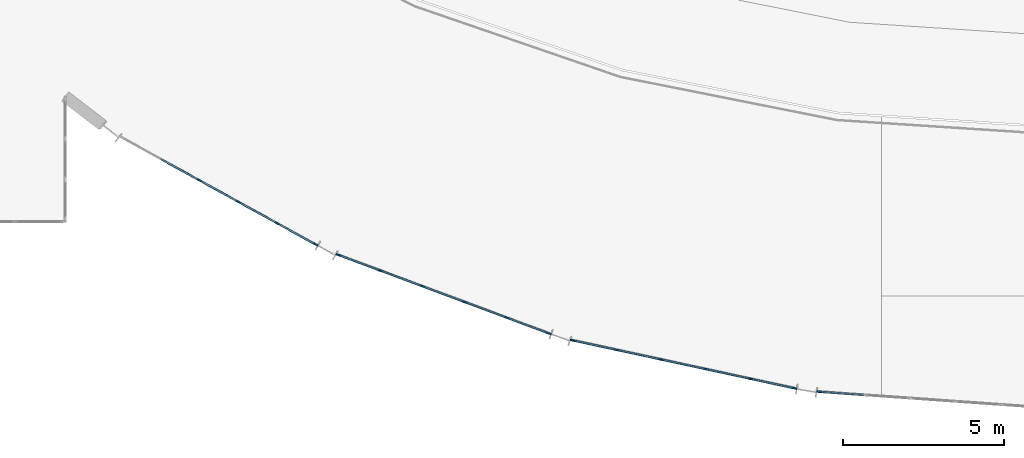
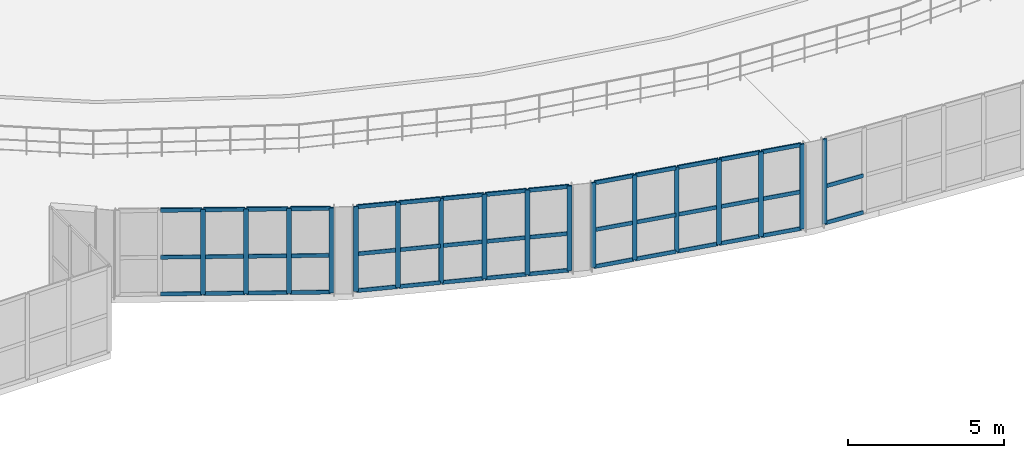
# One storey, part 10 of 40: 61 members, 4 elements without a shape of their own.
"""IFC4 building model written with IfcOpenShell, lengths in metres."""

import ifcopenshell
import ifcopenshell.guid

model = None  # the IFC model being written
_history = None  # IfcOwnerHistory: only IFC2X3 demands one
_inside = {}  # id of a spatial element -> (the spatial element, [elements in it])
_under = {}  # id of a project, library or spatial element -> (it, [spatial elements below it])
_declared = {}  # id of a project -> (the project, [libraries it declares])
_typed = {}  # id of a type object -> (the type object, [elements of that type])
_made_of = {}  # id of a material, layer set ... -> (it, [elements and type objects made of it])


def new_model(schema):
    """Start an empty IFC model of exactly this schema.

    Asked for "IFC4X3", IfcOpenShell would pick the latest addendum, in which some entities
    have other attributes; the version numbers below select the first issue.
    IFC2X3 requires an IfcOwnerHistory on every rooted entity: one is made here for all.
    """
    global model, _history
    if schema == "IFC4X3":
        model = ifcopenshell.file(schema_version=(4, 3, 0, 0))
    else:
        model = ifcopenshell.file(schema=schema)
    _inside.clear()
    _under.clear()
    _declared.clear()
    _typed.clear()
    _made_of.clear()
    _history = None
    if model.schema == "IFC2X3":
        org = make("IfcOrganization", Name="unknown")
        user = make(
            "IfcPersonAndOrganization",
            ThePerson=make("IfcPerson", FamilyName="unknown"),
            TheOrganization=org,
        )
        app = make(
            "IfcApplication",
            ApplicationDeveloper=org,
            Version="unknown",
            ApplicationFullName="unknown",
            ApplicationIdentifier="unknown",
        )
        _history = make(
            "IfcOwnerHistory",
            OwningUser=user,
            OwningApplication=app,
            ChangeAction="ADDED",
            CreationDate=0,
        )
    return model


def make(cls, **values):
    """One entity of the class cls with the attributes given. An attribute that is None is left unset."""
    return model.create_entity(
        cls, **{name: value for name, value in values.items() if value is not None}
    )


def rooted(cls, **values):
    """An entity with a GlobalId (a new one), such as an element, a storey or a relation."""
    return make(cls, GlobalId=ifcopenshell.guid.new(), OwnerHistory=_history, **values)


def si_unit(unit_type, name, prefix=None):
    """IfcSIUnit, for example si_unit("LENGTHUNIT", "METRE", prefix="MILLI")."""
    return make("IfcSIUnit", UnitType=unit_type, Prefix=prefix, Name=name)


def assignment(units):
    """IfcUnitAssignment: the units of a project."""
    return None if units is None else make("IfcUnitAssignment", Units=units)


def point(xyz):
    """IfcCartesianPoint."""
    return None if xyz is None else make("IfcCartesianPoint", Coordinates=xyz)


def direction(xyz):
    """IfcDirection."""
    return None if xyz is None else make("IfcDirection", DirectionRatios=xyz)


def frame(location, z_axis=None, x_axis=None):
    """IfcAxis2Placement3D, a coordinate frame: its origin and axes. An axis left out is left unset."""
    return make(
        "IfcAxis2Placement3D",
        Location=point(location),
        Axis=direction(z_axis),
        RefDirection=direction(x_axis),
    )


def frame_2d(location, x_axis=None):
    """IfcAxis2Placement2D, a coordinate frame in the plane: its origin and x axis."""
    return make(
        "IfcAxis2Placement2D", Location=point(location), RefDirection=direction(x_axis)
    )


def origin():
    """The frame at (0, 0, 0) with its axes left unset."""
    return frame((0.0, 0.0, 0.0))


def origin_2d():
    """The frame at (0, 0) in the plane with its x axis left unset."""
    return frame_2d((0.0, 0.0))


def place(relative_to, where):
    """IfcLocalPlacement: puts the frame where relative to a parent placement (None: the world)."""
    return make(
        "IfcLocalPlacement", PlacementRelTo=relative_to, RelativePlacement=where
    )


def context(
    kind, dimensions, precision=None, world=None, true_north=None, identifier=None
):
    """IfcGeometricRepresentationContext, for example the 3D "Model" context."""
    return make(
        "IfcGeometricRepresentationContext",
        ContextIdentifier=identifier,
        ContextType=kind,
        CoordinateSpaceDimension=dimensions,
        Precision=precision,
        WorldCoordinateSystem=world,
        TrueNorth=true_north,
    )


def subcontext(parent, identifier, kind, view, scale=None):
    """IfcGeometricRepresentationSubContext, for example "Body" below "Model"."""
    return make(
        "IfcGeometricRepresentationSubContext",
        ContextIdentifier=identifier,
        ContextType=kind,
        ParentContext=parent,
        TargetScale=scale,
        TargetView=view,
    )


def project(units=None, contexts=None):
    """IfcProject with its units and contexts."""
    return rooted(
        "IfcProject",
        Name="project",
        RepresentationContexts=contexts,
        UnitsInContext=assignment(units),
    )


def spatial(cls, under=None, at=None, **own):
    """A site, building, storey or space (cls), placed at a placement, below another one or the project."""
    s = rooted(cls, ObjectPlacement=at, **own)
    if under is not None:
        _under.setdefault(under.id(), (under, []))[1].append(s)
    return s


def profile(cls, at=None, kind="AREA", **sizes):
    """A parametric profile (cls). Its sizes go by their IFC names, for example OverallWidth=200.0."""
    return make(cls, ProfileType=kind, Position=at, **sizes)


def rectangle(**sizes):
    """IfcRectangleProfileDef."""
    return profile("IfcRectangleProfileDef", **sizes)


def extrude(swept, where, along, depth):
    """IfcExtrudedAreaSolid: the profile swept, set in the frame where, extruded along a direction by depth."""
    return make(
        "IfcExtrudedAreaSolid",
        SweptArea=swept,
        Position=where,
        ExtrudedDirection=direction(along),
        Depth=depth,
    )


def shape(context_of_items, identifier, shape_type, items):
    """IfcShapeRepresentation: the items that make up one representation, for example the "Body"."""
    return make(
        "IfcShapeRepresentation",
        ContextOfItems=context_of_items,
        RepresentationIdentifier=identifier,
        RepresentationType=shape_type,
        Items=items,
    )


def material(Name=None, Category=None):
    """IfcMaterial."""
    return make("IfcMaterial", Name=Name, Category=Category)


def material_profile(
    of_material, cross_section, Name=None, Category=None, Priority=None
):
    """IfcMaterialProfile: a cross section and its material."""
    return make(
        "IfcMaterialProfile",
        Name=Name,
        Material=of_material,
        Profile=cross_section,
        Priority=Priority,
        Category=Category,
    )


def profile_set(profiles, Name=None, composite=None):
    """IfcMaterialProfileSet."""
    return make(
        "IfcMaterialProfileSet",
        Name=Name,
        MaterialProfiles=profiles,
        CompositeProfile=composite,
    )


def made_of(thing, what):
    """Note that an element or type object is made of a material, layer set ...; save() writes the relation."""
    if what is not None:
        _made_of.setdefault(what.id(), (what, []))[1].append(thing)
    return thing


def type_object(cls, material=None, **own):
    """A type object (cls), such as IfcWallType, which elements share."""
    return made_of(rooted(cls, **own), material)


def element(
    cls,
    number,
    at=None,
    inside=None,
    cuts=None,
    type_object=None,
    material=None,
    context=None,
    identifier="Body",
    shape_type=None,
    held_by="IfcProductDefinitionShape",
    body=None,
    shapes=None,
    **own,
):
    """One element of the class cls, such as IfcWall. Its Tag is "e" and its number.

    at: its placement. inside: the storey or other place that contains it. cuts: it is an
    opening in that element (IfcRelVoidsElement). A single representation is given by context,
    identifier, shape_type and body (its items); several are given by shapes. held_by: the class
    of the entity that holds the representations. save() writes the other relations.
    """
    e = rooted(cls, Tag="e%d" % number, ObjectPlacement=at, **own)
    if body is not None:
        shapes = [shape(context, identifier, shape_type, body)]
    if shapes is not None:
        e.Representation = make(held_by, Representations=shapes)
    if inside is not None:
        _inside.setdefault(inside.id(), (inside, []))[1].append(e)
    if cuts is not None:
        rooted(
            "IfcRelVoidsElement", RelatingBuildingElement=cuts, RelatedOpeningElement=e
        )
    if type_object is not None:
        _typed.setdefault(type_object.id(), (type_object, []))[1].append(e)
    return made_of(e, material)


def aggregate(whole, parts):
    """IfcRelAggregates: a whole, such as a stair, and the parts it consists of."""
    return rooted("IfcRelAggregates", RelatingObject=whole, RelatedObjects=parts)


def save(model, path):
    """Write the relations noted so far, then the file.

    IfcRelAggregates (storeys below a building ...), IfcRelContainedInSpatialStructure (elements
    in a storey), IfcRelDefinesByType, IfcRelAssociatesMaterial and IfcRelDeclares: one each for
    every whole, place, type object, material and project.
    """
    for whole, parts in _under.values():
        aggregate(whole, parts)
    for where, things in _inside.values():
        rooted(
            "IfcRelContainedInSpatialStructure",
            RelatedElements=things,
            RelatingStructure=where,
        )
    for kind, things in _typed.values():
        rooted("IfcRelDefinesByType", RelatedObjects=things, RelatingType=kind)
    for what, things in _made_of.values():
        rooted("IfcRelAssociatesMaterial", RelatedObjects=things, RelatingMaterial=what)
    for by, libraries in _declared.values():
        rooted("IfcRelDeclares", RelatingContext=by, RelatedDefinitions=libraries)
    model.write(path)


model = new_model("IFC4")

# Units and contexts
model_context = context("Model", 3, precision=1e-05, world=origin(), true_north=direction((0.0, 1.0)))
body_context = subcontext(model_context, "Body", "Model", "MODEL_VIEW")
ifc_project = project(units=[si_unit("LENGTHUNIT", "METRE"), si_unit("AREAUNIT", "SQUARE_METRE"), si_unit("VOLUMEUNIT", "CUBIC_METRE"), si_unit("PLANEANGLEUNIT", "RADIAN"), si_unit("MASSUNIT", "GRAM", prefix="KILO")], contexts=[model_context])

# Site, building, storey
site_placement = place(None, origin())
site = spatial("IfcSite", under=ifc_project, at=site_placement, CompositionType="ELEMENT")
building_placement = place(site_placement, origin())
building = spatial("IfcBuilding", under=site, at=building_placement, Name="Glasvene Arena", CompositionType="ELEMENT")
storey_placement = place(building_placement, frame((0.0, 0.0, 24.0)))
storey = spatial("IfcBuildingStorey", under=building, at=storey_placement, Name="L05", CompositionType="ELEMENT", Elevation=24.0)

# Curtain wall, member
ifc_material_1 = material(Name="Low-emissivity laminated double glazing", Category="glass")
curtain_wall_type_1 = type_object("IfcCurtainWallType", Name="CW-FAC-L05-710x332", PredefinedType="USERDEFINED", material=ifc_material_1)
curtain_wall_1_placement = place(storey_placement, frame((91.633056640625, 28.02587890625, 0.0)))
curtain_wall_1 = element("IfcCurtainWall", 1, at=curtain_wall_1_placement, inside=storey, type_object=curtain_wall_type_1, Name="Unitised curtain wall CW-F-L05-150-881-283-45", ObjectType="CURTAIN WALL", PredefinedType="USERDEFINED")
ifc_material_2 = material(Name="Anodised architectural aluminium", Category="aluminium")
ifc_material_profile_1 = material_profile(ifc_material_2, rectangle(XDim=0.050048828125, YDim=0.159912109375, at=origin_2d()), Name="ALU MULLION 50x160")
ifc_profile_set_1 = profile_set([ifc_material_profile_1], Name="Anodised architectural aluminium")
member_type_1 = type_object("IfcMemberType", Name="CW-MUL-150", PredefinedType="MULLION", material=ifc_profile_set_1)
member_1_placement = place(storey_placement, frame((84.571044921875, 28.526123046875, 0.06005859375), z_axis=(0.0, 0.0, 1.0), x_axis=(-0.070656884566, -0.997500679029, 0.0)))
member_1 = element("IfcMember", 2, at=member_1_placement, type_object=member_type_1, Name="CW-065 mullion 6", PredefinedType="MULLION", context=body_context, shape_type="SweptSolid", body=[
    extrude(rectangle(XDim=0.050048828125, YDim=0.159912109375, at=origin_2d()), origin(), (0.0, 0.0, 1.0), 3.31982421875),
])

# Curtain wall, members
curtain_wall_type_2 = type_object("IfcCurtainWallType", Name="CW-FAC-L05-707x332", PredefinedType="USERDEFINED", material=ifc_material_1)
curtain_wall_2_placement = place(storey_placement, frame((83.8193359375, 28.631591796875, 0.0)))
curtain_wall_2 = element("IfcCurtainWall", 3, at=curtain_wall_2_placement, inside=storey, type_object=curtain_wall_type_2, Name="Unitised curtain wall CW-F-L05-150-804-294-46", ObjectType="CURTAIN WALL", PredefinedType="USERDEFINED")
member_2_placement = place(storey_placement, frame((83.794921875, 28.63671875, 0.06005859375), z_axis=(0.0, 0.0, 1.0), x_axis=(-0.211220641072, -0.977438407668, 0.0)))
member_2 = element("IfcMember", 4, at=member_2_placement, type_object=member_type_1, Name="CW-064 mullion 1", PredefinedType="MULLION", context=body_context, shape_type="SweptSolid", body=[
    extrude(rectangle(XDim=0.050048828125, YDim=0.159912109375, at=origin_2d()), origin(), (0.0, 0.0, 1.0), 3.31982421875),
])
member_3_placement = place(storey_placement, frame((82.4375, 28.93017578125, 0.06005859375), z_axis=(0.0, 0.0, 1.0), x_axis=(-0.211220641072, -0.977438407668, 0.0)))
member_3 = element("IfcMember", 5, at=member_3_placement, type_object=member_type_1, Name="CW-064 mullion 2", PredefinedType="MULLION", context=body_context, shape_type="SweptSolid", body=[
    extrude(rectangle(XDim=0.050048828125, YDim=0.159912109375, at=origin_2d()), origin(), (0.0, 0.0, 1.0), 3.31982421875),
])
member_4_placement = place(storey_placement, frame((81.055908203125, 29.228759765625, 0.06005859375), z_axis=(0.0, 0.0, 1.0), x_axis=(-0.211220641072, -0.977438407668, 0.0)))
member_4 = element("IfcMember", 6, at=member_4_placement, type_object=member_type_1, Name="CW-064 mullion 3", PredefinedType="MULLION", context=body_context, shape_type="SweptSolid", body=[
    extrude(rectangle(XDim=0.050048828125, YDim=0.159912109375, at=origin_2d()), origin(), (0.0, 0.0, 1.0), 3.31982421875),
])
member_5_placement = place(storey_placement, frame((79.67431640625, 29.52734375, 0.06005859375), z_axis=(0.0, 0.0, 1.0), x_axis=(-0.211220641072, -0.977438407668, 0.0)))
member_5 = element("IfcMember", 7, at=member_5_placement, type_object=member_type_1, Name="CW-064 mullion 4", PredefinedType="MULLION", context=body_context, shape_type="SweptSolid", body=[
    extrude(rectangle(XDim=0.050048828125, YDim=0.159912109375, at=origin_2d()), origin(), (0.0, 0.0, 1.0), 3.31982421875),
])
member_6_placement = place(storey_placement, frame((78.29248046875, 29.825927734375, 0.06005859375), z_axis=(0.0, 0.0, 1.0), x_axis=(-0.211220641072, -0.977438407668, 0.0)))
member_6 = element("IfcMember", 8, at=member_6_placement, type_object=member_type_1, Name="CW-064 mullion 5", PredefinedType="MULLION", context=body_context, shape_type="SweptSolid", body=[
    extrude(rectangle(XDim=0.050048828125, YDim=0.159912109375, at=origin_2d()), origin(), (0.0, 0.0, 1.0), 3.31982421875),
])
member_7_placement = place(storey_placement, frame((76.935302734375, 30.119140625, 0.06005859375), z_axis=(0.0, 0.0, 1.0), x_axis=(-0.211220641072, -0.977438407668, 0.0)))
member_7 = element("IfcMember", 9, at=member_7_placement, type_object=member_type_1, Name="CW-064 mullion 6", PredefinedType="MULLION", context=body_context, shape_type="SweptSolid", body=[
    extrude(rectangle(XDim=0.050048828125, YDim=0.159912109375, at=origin_2d()), origin(), (0.0, 0.0, 1.0), 3.31982421875),
])

curtain_wall_type_3 = type_object("IfcCurtainWallType", Name="CW-FAC-L05-700x332", PredefinedType="USERDEFINED", material=ifc_material_1)
curtain_wall_3_placement = place(storey_placement, frame((76.205322265625, 30.330810546875, 0.0)))
curtain_wall_3 = element("IfcCurtainWall", 10, at=curtain_wall_3_placement, inside=storey, type_object=curtain_wall_type_3, Name="Unitised curtain wall CW-F-L05-150-729-316-47", ObjectType="CURTAIN WALL", PredefinedType="USERDEFINED")
member_8_placement = place(storey_placement, frame((76.181884765625, 30.33935546875, 0.06005859375), z_axis=(0.0, 0.0, 1.0), x_axis=(-0.349296753096, -0.937012154818, 0.0)))
member_8 = element("IfcMember", 11, at=member_8_placement, type_object=member_type_1, Name="CW-063 mullion 1", PredefinedType="MULLION", context=body_context, shape_type="SweptSolid", body=[
    extrude(rectangle(XDim=0.050048828125, YDim=0.159912109375, at=origin_2d()), origin(), (0.0, 0.0, 1.0), 3.31982421875),
])
member_9_placement = place(storey_placement, frame((74.893798828125, 30.819580078125, 0.06005859375), z_axis=(0.0, 0.0, 1.0), x_axis=(-0.349296753096, -0.937012154818, 0.0)))
member_9 = element("IfcMember", 12, at=member_9_placement, type_object=member_type_1, Name="CW-063 mullion 2", PredefinedType="MULLION", context=body_context, shape_type="SweptSolid", body=[
    extrude(rectangle(XDim=0.050048828125, YDim=0.159912109375, at=origin_2d()), origin(), (0.0, 0.0, 1.0), 3.31982421875),
])
member_10_placement = place(storey_placement, frame((73.58251953125, 31.308349609375, 0.06005859375), z_axis=(0.0, 0.0, 1.0), x_axis=(-0.349296753096, -0.937012154818, 0.0)))
member_10 = element("IfcMember", 13, at=member_10_placement, type_object=member_type_1, Name="CW-063 mullion 3", PredefinedType="MULLION", context=body_context, shape_type="SweptSolid", body=[
    extrude(rectangle(XDim=0.050048828125, YDim=0.159912109375, at=origin_2d()), origin(), (0.0, 0.0, 1.0), 3.31982421875),
])
member_11_placement = place(storey_placement, frame((72.27099609375, 31.79736328125, 0.06005859375), z_axis=(0.0, 0.0, 1.0), x_axis=(-0.349296753096, -0.937012154818, 0.0)))
member_11 = element("IfcMember", 14, at=member_11_placement, type_object=member_type_1, Name="CW-063 mullion 4", PredefinedType="MULLION", context=body_context, shape_type="SweptSolid", body=[
    extrude(rectangle(XDim=0.050048828125, YDim=0.159912109375, at=origin_2d()), origin(), (0.0, 0.0, 1.0), 3.31982421875),
])
member_12_placement = place(storey_placement, frame((70.959716796875, 32.2861328125, 0.06005859375), z_axis=(0.0, 0.0, 1.0), x_axis=(-0.349296753096, -0.937012154818, 0.0)))
member_12 = element("IfcMember", 15, at=member_12_placement, type_object=member_type_1, Name="CW-063 mullion 5", PredefinedType="MULLION", context=body_context, shape_type="SweptSolid", body=[
    extrude(rectangle(XDim=0.050048828125, YDim=0.159912109375, at=origin_2d()), origin(), (0.0, 0.0, 1.0), 3.31982421875),
])
member_13_placement = place(storey_placement, frame((69.671630859375, 32.766357421875, 0.06005859375), z_axis=(0.0, 0.0, 1.0), x_axis=(-0.349296753096, -0.937012154818, 0.0)))
member_13 = element("IfcMember", 16, at=member_13_placement, type_object=member_type_1, Name="CW-063 mullion 6", PredefinedType="MULLION", context=body_context, shape_type="SweptSolid", body=[
    extrude(rectangle(XDim=0.050048828125, YDim=0.159912109375, at=origin_2d()), origin(), (0.0, 0.0, 1.0), 3.31982421875),
])

curtain_wall_type_4 = type_object("IfcCurtainWallType", Name="CW-FAC-L05-690x332", PredefinedType="USERDEFINED", material=ifc_material_1)
curtain_wall_4_placement = place(storey_placement, frame((68.97900390625, 33.081787109375, 0.0)))
curtain_wall_4 = element("IfcCurtainWall", 17, at=curtain_wall_4_placement, inside=storey, type_object=curtain_wall_type_4, Name="Unitised curtain wall CW-F-L05-150-660-347-48", ObjectType="CURTAIN WALL", PredefinedType="USERDEFINED")
member_14_placement = place(storey_placement, frame((68.957275390625, 33.093994140625, 0.06005859375), z_axis=(0.0, 0.0, 1.0), x_axis=(-0.482938658483, -0.875654185248, 0.0)))
member_14 = element("IfcMember", 18, at=member_14_placement, type_object=member_type_1, Name="CW-062 mullion 1", PredefinedType="MULLION", context=body_context, shape_type="SweptSolid", body=[
    extrude(rectangle(XDim=0.050048828125, YDim=0.159912109375, at=origin_2d()), origin(), (0.0, 0.0, 1.0), 3.31982421875),
])
member_15_placement = place(storey_placement, frame((67.7705078125, 33.74853515625, 0.06005859375), z_axis=(0.0, 0.0, 1.0), x_axis=(-0.482938658483, -0.875654185248, 0.0)))
member_15 = element("IfcMember", 19, at=member_15_placement, type_object=member_type_1, Name="CW-062 mullion 2", PredefinedType="MULLION", context=body_context, shape_type="SweptSolid", body=[
    extrude(rectangle(XDim=0.050048828125, YDim=0.159912109375, at=origin_2d()), origin(), (0.0, 0.0, 1.0), 3.31982421875),
])
member_16_placement = place(storey_placement, frame((66.56201171875, 34.4150390625, 0.06005859375), z_axis=(0.0, 0.0, 1.0), x_axis=(-0.482938658483, -0.875654185248, 0.0)))
member_16 = element("IfcMember", 20, at=member_16_placement, type_object=member_type_1, Name="CW-062 mullion 3", PredefinedType="MULLION", context=body_context, shape_type="SweptSolid", body=[
    extrude(rectangle(XDim=0.050048828125, YDim=0.159912109375, at=origin_2d()), origin(), (0.0, 0.0, 1.0), 3.31982421875),
])
member_17_placement = place(storey_placement, frame((65.353515625, 35.08154296875, 0.06005859375), z_axis=(0.0, 0.0, 1.0), x_axis=(-0.482938658483, -0.875654185248, 0.0)))
member_17 = element("IfcMember", 21, at=member_17_placement, type_object=member_type_1, Name="CW-062 mullion 4", PredefinedType="MULLION", context=body_context, shape_type="SweptSolid", body=[
    extrude(rectangle(XDim=0.050048828125, YDim=0.159912109375, at=origin_2d()), origin(), (0.0, 0.0, 1.0), 3.31982421875),
])

# Member
ifc_material_profile_2 = material_profile(ifc_material_2, rectangle(XDim=0.050048828125, YDim=0.14990234375, at=origin_2d()), Name="ALU TRANSOM 50x150")
ifc_profile_set_2 = profile_set([ifc_material_profile_2], Name="Anodised architectural aluminium")
member_type_2 = type_object("IfcMemberType", Name="CW-TRN-150", PredefinedType="USERDEFINED", material=ifc_profile_set_2)
member_18_placement = place(storey_placement, frame((85.9384765625, 28.429443359375, 0.0849609375), z_axis=(-0.997507268322, 0.070563798396, 0.0), x_axis=(-0.070563798396, -0.997507268322, 0.0)))
member_18 = element("IfcMember", 22, at=member_18_placement, type_object=member_type_2, Name="CW-065 transom 5.1", ObjectType="TRANSOM", PredefinedType="USERDEFINED", context=body_context, shape_type="SweptSolid", body=[
    extrude(rectangle(XDim=0.050048828125, YDim=0.14990234375, at=origin_2d()), origin(), (0.0, 0.0, 1.0), 1.345947265625),
])

member_19_placement = place(storey_placement, frame((85.9384765625, 28.429443359375, 1.52099609375), z_axis=(-0.997507268322, 0.070563798396, 0.0), x_axis=(-0.070563798396, -0.997507268322, 0.0)))
member_19 = element("IfcMember", 23, at=member_19_placement, type_object=member_type_2, Name="CW-065 transom 5.2", ObjectType="TRANSOM", PredefinedType="USERDEFINED", context=body_context, shape_type="SweptSolid", body=[
    extrude(rectangle(XDim=0.050048828125, YDim=0.14990234375, at=origin_2d()), origin(), (0.0, 0.0, 1.0), 1.345947265625),
])

aggregate(curtain_wall_1, [member_1, member_18, member_19])

member_20_placement = place(storey_placement, frame((83.7705078125, 28.64208984375, 0.0849609375), z_axis=(-0.97744876634, 0.211172699892, 0.0), x_axis=(-0.211172699892, -0.97744876634, 0.0)))
member_20 = element("IfcMember", 24, at=member_20_placement, type_object=member_type_2, Name="CW-064 transom 1.1", ObjectType="TRANSOM", PredefinedType="USERDEFINED", context=body_context, shape_type="SweptSolid", body=[
    extrude(rectangle(XDim=0.050048828125, YDim=0.14990234375, at=origin_2d()), origin(), (0.0, 0.0, 1.0), 1.3388671875),
])

member_21_placement = place(storey_placement, frame((83.7705078125, 28.64208984375, 1.52099609375), z_axis=(-0.97744876634, 0.211172699892, 0.0), x_axis=(-0.211172699892, -0.97744876634, 0.0)))
member_21 = element("IfcMember", 25, at=member_21_placement, type_object=member_type_2, Name="CW-064 transom 1.2", ObjectType="TRANSOM", PredefinedType="USERDEFINED", context=body_context, shape_type="SweptSolid", body=[
    extrude(rectangle(XDim=0.050048828125, YDim=0.14990234375, at=origin_2d()), origin(), (0.0, 0.0, 1.0), 1.3388671875),
])

member_22_placement = place(storey_placement, frame((83.7705078125, 28.64208984375, 3.35498046875), z_axis=(-0.97744876634, 0.211172699892, 0.0), x_axis=(-0.211172699892, -0.97744876634, 0.0)))
member_22 = element("IfcMember", 26, at=member_22_placement, type_object=member_type_2, Name="CW-064 transom 1.3", ObjectType="TRANSOM", PredefinedType="USERDEFINED", context=body_context, shape_type="SweptSolid", body=[
    extrude(rectangle(XDim=0.050048828125, YDim=0.14990234375, at=origin_2d()), origin(), (0.0, 0.0, 1.0), 1.3388671875),
])

member_23_placement = place(storey_placement, frame((82.4130859375, 28.935302734375, 0.0849609375), z_axis=(-0.977426158745, 0.211277315867, 0.0), x_axis=(-0.211277315867, -0.977426158745, 0.0)))
member_23 = element("IfcMember", 27, at=member_23_placement, type_object=member_type_2, Name="CW-064 transom 2.1", ObjectType="TRANSOM", PredefinedType="USERDEFINED", context=body_context, shape_type="SweptSolid", body=[
    extrude(rectangle(XDim=0.050048828125, YDim=0.14990234375, at=origin_2d()), origin(), (0.0, 0.0, 1.0), 1.363525390625),
])

member_24_placement = place(storey_placement, frame((82.4130859375, 28.935302734375, 1.52099609375), z_axis=(-0.977426158745, 0.211277315867, 0.0), x_axis=(-0.211277315867, -0.977426158745, 0.0)))
member_24 = element("IfcMember", 28, at=member_24_placement, type_object=member_type_2, Name="CW-064 transom 2.2", ObjectType="TRANSOM", PredefinedType="USERDEFINED", context=body_context, shape_type="SweptSolid", body=[
    extrude(rectangle(XDim=0.050048828125, YDim=0.14990234375, at=origin_2d()), origin(), (0.0, 0.0, 1.0), 1.363525390625),
])

member_25_placement = place(storey_placement, frame((82.4130859375, 28.935302734375, 3.35498046875), z_axis=(-0.977426158745, 0.211277315867, 0.0), x_axis=(-0.211277315867, -0.977426158745, 0.0)))
member_25 = element("IfcMember", 29, at=member_25_placement, type_object=member_type_2, Name="CW-064 transom 2.3", ObjectType="TRANSOM", PredefinedType="USERDEFINED", context=body_context, shape_type="SweptSolid", body=[
    extrude(rectangle(XDim=0.050048828125, YDim=0.14990234375, at=origin_2d()), origin(), (0.0, 0.0, 1.0), 1.363525390625),
])

member_26_placement = place(storey_placement, frame((81.031494140625, 29.23388671875, 0.0849609375), z_axis=(-0.977426158745, 0.211277315867, 0.0), x_axis=(-0.211277315867, -0.977426158745, 0.0)))
member_26 = element("IfcMember", 30, at=member_26_placement, type_object=member_type_2, Name="CW-064 transom 3.1", ObjectType="TRANSOM", PredefinedType="USERDEFINED", context=body_context, shape_type="SweptSolid", body=[
    extrude(rectangle(XDim=0.050048828125, YDim=0.14990234375, at=origin_2d()), origin(), (0.0, 0.0, 1.0), 1.363525390625),
])

member_27_placement = place(storey_placement, frame((81.031494140625, 29.23388671875, 1.52099609375), z_axis=(-0.977426158745, 0.211277315867, 0.0), x_axis=(-0.211277315867, -0.977426158745, 0.0)))
member_27 = element("IfcMember", 31, at=member_27_placement, type_object=member_type_2, Name="CW-064 transom 3.2", ObjectType="TRANSOM", PredefinedType="USERDEFINED", context=body_context, shape_type="SweptSolid", body=[
    extrude(rectangle(XDim=0.050048828125, YDim=0.14990234375, at=origin_2d()), origin(), (0.0, 0.0, 1.0), 1.363525390625),
])

member_28_placement = place(storey_placement, frame((81.031494140625, 29.23388671875, 3.35498046875), z_axis=(-0.977426158745, 0.211277315867, 0.0), x_axis=(-0.211277315867, -0.977426158745, 0.0)))
member_28 = element("IfcMember", 32, at=member_28_placement, type_object=member_type_2, Name="CW-064 transom 3.3", ObjectType="TRANSOM", PredefinedType="USERDEFINED", context=body_context, shape_type="SweptSolid", body=[
    extrude(rectangle(XDim=0.050048828125, YDim=0.14990234375, at=origin_2d()), origin(), (0.0, 0.0, 1.0), 1.363525390625),
])

member_29_placement = place(storey_placement, frame((79.649658203125, 29.532470703125, 0.0849609375), z_axis=(-0.977426158745, 0.211277315867, 0.0), x_axis=(-0.211277315867, -0.977426158745, 0.0)))
member_29 = element("IfcMember", 33, at=member_29_placement, type_object=member_type_2, Name="CW-064 transom 4.1", ObjectType="TRANSOM", PredefinedType="USERDEFINED", context=body_context, shape_type="SweptSolid", body=[
    extrude(rectangle(XDim=0.050048828125, YDim=0.14990234375, at=origin_2d()), origin(), (0.0, 0.0, 1.0), 1.363525390625),
])

member_30_placement = place(storey_placement, frame((79.649658203125, 29.532470703125, 1.52099609375), z_axis=(-0.977426158745, 0.211277315867, 0.0), x_axis=(-0.211277315867, -0.977426158745, 0.0)))
member_30 = element("IfcMember", 34, at=member_30_placement, type_object=member_type_2, Name="CW-064 transom 4.2", ObjectType="TRANSOM", PredefinedType="USERDEFINED", context=body_context, shape_type="SweptSolid", body=[
    extrude(rectangle(XDim=0.050048828125, YDim=0.14990234375, at=origin_2d()), origin(), (0.0, 0.0, 1.0), 1.363525390625),
])

member_31_placement = place(storey_placement, frame((79.649658203125, 29.532470703125, 3.35498046875), z_axis=(-0.977426158745, 0.211277315867, 0.0), x_axis=(-0.211277315867, -0.977426158745, 0.0)))
member_31 = element("IfcMember", 35, at=member_31_placement, type_object=member_type_2, Name="CW-064 transom 4.3", ObjectType="TRANSOM", PredefinedType="USERDEFINED", context=body_context, shape_type="SweptSolid", body=[
    extrude(rectangle(XDim=0.050048828125, YDim=0.14990234375, at=origin_2d()), origin(), (0.0, 0.0, 1.0), 1.363525390625),
])

member_32_placement = place(storey_placement, frame((78.26806640625, 29.8310546875, 0.0849609375), z_axis=(-0.977440632027, 0.211210347432, 0.0), x_axis=(-0.211210347432, -0.977440632027, 0.0)))
member_32 = element("IfcMember", 36, at=member_32_placement, type_object=member_type_2, Name="CW-064 transom 5.1", ObjectType="TRANSOM", PredefinedType="USERDEFINED", context=body_context, shape_type="SweptSolid", body=[
    extrude(rectangle(XDim=0.050048828125, YDim=0.14990234375, at=origin_2d()), origin(), (0.0, 0.0, 1.0), 1.338623046875),
])

member_33_placement = place(storey_placement, frame((78.26806640625, 29.8310546875, 1.52099609375), z_axis=(-0.977440632027, 0.211210347432, 0.0), x_axis=(-0.211210347432, -0.977440632027, 0.0)))
member_33 = element("IfcMember", 37, at=member_33_placement, type_object=member_type_2, Name="CW-064 transom 5.2", ObjectType="TRANSOM", PredefinedType="USERDEFINED", context=body_context, shape_type="SweptSolid", body=[
    extrude(rectangle(XDim=0.050048828125, YDim=0.14990234375, at=origin_2d()), origin(), (0.0, 0.0, 1.0), 1.338623046875),
])

member_34_placement = place(storey_placement, frame((78.26806640625, 29.8310546875, 3.35498046875), z_axis=(-0.977440632027, 0.211210347432, 0.0), x_axis=(-0.211210347432, -0.977440632027, 0.0)))
member_34 = element("IfcMember", 38, at=member_34_placement, type_object=member_type_2, Name="CW-064 transom 5.3", ObjectType="TRANSOM", PredefinedType="USERDEFINED", context=body_context, shape_type="SweptSolid", body=[
    extrude(rectangle(XDim=0.050048828125, YDim=0.14990234375, at=origin_2d()), origin(), (0.0, 0.0, 1.0), 1.338623046875),
])

aggregate(curtain_wall_2, [member_2, member_3, member_4, member_5, member_6, member_7, member_20, member_21, member_22, member_23, member_24, member_25, member_26, member_27, member_28, member_29, member_30, member_31, member_32, member_33, member_34])

member_35_placement = place(storey_placement, frame((76.158447265625, 30.34814453125, 0.0849609375), z_axis=(-0.937024171084, 0.349264516956, 0.0), x_axis=(-0.349264516956, -0.937024171084, 0.0)))
member_35 = element("IfcMember", 39, at=member_35_placement, type_object=member_type_2, Name="CW-063 transom 1.1", ObjectType="TRANSOM", PredefinedType="USERDEFINED", context=body_context, shape_type="SweptSolid", body=[
    extrude(rectangle(XDim=0.050048828125, YDim=0.14990234375, at=origin_2d()), origin(), (0.0, 0.0, 1.0), 1.32470703125),
])

member_36_placement = place(storey_placement, frame((76.158447265625, 30.34814453125, 1.52099609375), z_axis=(-0.937024171084, 0.349264516956, 0.0), x_axis=(-0.349264516956, -0.937024171084, 0.0)))
member_36 = element("IfcMember", 40, at=member_36_placement, type_object=member_type_2, Name="CW-063 transom 1.2", ObjectType="TRANSOM", PredefinedType="USERDEFINED", context=body_context, shape_type="SweptSolid", body=[
    extrude(rectangle(XDim=0.050048828125, YDim=0.14990234375, at=origin_2d()), origin(), (0.0, 0.0, 1.0), 1.32470703125),
])

member_37_placement = place(storey_placement, frame((76.158447265625, 30.34814453125, 3.35498046875), z_axis=(-0.937024171084, 0.349264516956, 0.0), x_axis=(-0.349264516956, -0.937024171084, 0.0)))
member_37 = element("IfcMember", 41, at=member_37_placement, type_object=member_type_2, Name="CW-063 transom 1.3", ObjectType="TRANSOM", PredefinedType="USERDEFINED", context=body_context, shape_type="SweptSolid", body=[
    extrude(rectangle(XDim=0.050048828125, YDim=0.14990234375, at=origin_2d()), origin(), (0.0, 0.0, 1.0), 1.32470703125),
])

member_38_placement = place(storey_placement, frame((74.870361328125, 30.828369140625, 0.0849609375), z_axis=(-0.93698923911, 0.349358219873, 0.0), x_axis=(-0.349358219873, -0.93698923911, 0.0)))
member_38 = element("IfcMember", 42, at=member_38_placement, type_object=member_type_2, Name="CW-063 transom 2.1", ObjectType="TRANSOM", PredefinedType="USERDEFINED", context=body_context, shape_type="SweptSolid", body=[
    extrude(rectangle(XDim=0.050048828125, YDim=0.14990234375, at=origin_2d()), origin(), (0.0, 0.0, 1.0), 1.349365234375),
])

member_39_placement = place(storey_placement, frame((74.870361328125, 30.828369140625, 1.52099609375), z_axis=(-0.93698923911, 0.349358219873, 0.0), x_axis=(-0.349358219873, -0.93698923911, 0.0)))
member_39 = element("IfcMember", 43, at=member_39_placement, type_object=member_type_2, Name="CW-063 transom 2.2", ObjectType="TRANSOM", PredefinedType="USERDEFINED", context=body_context, shape_type="SweptSolid", body=[
    extrude(rectangle(XDim=0.050048828125, YDim=0.14990234375, at=origin_2d()), origin(), (0.0, 0.0, 1.0), 1.349365234375),
])

member_40_placement = place(storey_placement, frame((74.870361328125, 30.828369140625, 3.35498046875), z_axis=(-0.93698923911, 0.349358219873, 0.0), x_axis=(-0.349358219873, -0.93698923911, 0.0)))
member_40 = element("IfcMember", 44, at=member_40_placement, type_object=member_type_2, Name="CW-063 transom 2.3", ObjectType="TRANSOM", PredefinedType="USERDEFINED", context=body_context, shape_type="SweptSolid", body=[
    extrude(rectangle(XDim=0.050048828125, YDim=0.14990234375, at=origin_2d()), origin(), (0.0, 0.0, 1.0), 1.349365234375),
])

member_41_placement = place(storey_placement, frame((73.55908203125, 31.317138671875, 0.0849609375), z_axis=(-0.9370113151, 0.349299005687, 0.0), x_axis=(-0.349299005687, -0.9370113151, 0.0)))
member_41 = element("IfcMember", 45, at=member_41_placement, type_object=member_type_2, Name="CW-063 transom 3.1", ObjectType="TRANSOM", PredefinedType="USERDEFINED", context=body_context, shape_type="SweptSolid", body=[
    extrude(rectangle(XDim=0.050048828125, YDim=0.14990234375, at=origin_2d()), origin(), (0.0, 0.0, 1.0), 1.349609375),
])

member_42_placement = place(storey_placement, frame((73.55908203125, 31.317138671875, 1.52099609375), z_axis=(-0.9370113151, 0.349299005687, 0.0), x_axis=(-0.349299005687, -0.9370113151, 0.0)))
member_42 = element("IfcMember", 46, at=member_42_placement, type_object=member_type_2, Name="CW-063 transom 3.2", ObjectType="TRANSOM", PredefinedType="USERDEFINED", context=body_context, shape_type="SweptSolid", body=[
    extrude(rectangle(XDim=0.050048828125, YDim=0.14990234375, at=origin_2d()), origin(), (0.0, 0.0, 1.0), 1.349609375),
])

member_43_placement = place(storey_placement, frame((73.55908203125, 31.317138671875, 3.35498046875), z_axis=(-0.9370113151, 0.349299005687, 0.0), x_axis=(-0.349299005687, -0.9370113151, 0.0)))
member_43 = element("IfcMember", 47, at=member_43_placement, type_object=member_type_2, Name="CW-063 transom 3.3", ObjectType="TRANSOM", PredefinedType="USERDEFINED", context=body_context, shape_type="SweptSolid", body=[
    extrude(rectangle(XDim=0.050048828125, YDim=0.14990234375, at=origin_2d()), origin(), (0.0, 0.0, 1.0), 1.349609375),
])

member_44_placement = place(storey_placement, frame((72.24755859375, 31.805908203125, 0.0849609375), z_axis=(-0.93698923911, 0.349358219873, 0.0), x_axis=(-0.349358219873, -0.93698923911, 0.0)))
member_44 = element("IfcMember", 48, at=member_44_placement, type_object=member_type_2, Name="CW-063 transom 4.1", ObjectType="TRANSOM", PredefinedType="USERDEFINED", context=body_context, shape_type="SweptSolid", body=[
    extrude(rectangle(XDim=0.050048828125, YDim=0.14990234375, at=origin_2d()), origin(), (0.0, 0.0, 1.0), 1.349365234375),
])

member_45_placement = place(storey_placement, frame((72.24755859375, 31.805908203125, 1.52099609375), z_axis=(-0.93698923911, 0.349358219873, 0.0), x_axis=(-0.349358219873, -0.93698923911, 0.0)))
member_45 = element("IfcMember", 49, at=member_45_placement, type_object=member_type_2, Name="CW-063 transom 4.2", ObjectType="TRANSOM", PredefinedType="USERDEFINED", context=body_context, shape_type="SweptSolid", body=[
    extrude(rectangle(XDim=0.050048828125, YDim=0.14990234375, at=origin_2d()), origin(), (0.0, 0.0, 1.0), 1.349365234375),
])

member_46_placement = place(storey_placement, frame((72.24755859375, 31.805908203125, 3.35498046875), z_axis=(-0.93698923911, 0.349358219873, 0.0), x_axis=(-0.349358219873, -0.93698923911, 0.0)))
member_46 = element("IfcMember", 50, at=member_46_placement, type_object=member_type_2, Name="CW-063 transom 4.3", ObjectType="TRANSOM", PredefinedType="USERDEFINED", context=body_context, shape_type="SweptSolid", body=[
    extrude(rectangle(XDim=0.050048828125, YDim=0.14990234375, at=origin_2d()), origin(), (0.0, 0.0, 1.0), 1.349365234375),
])

member_47_placement = place(storey_placement, frame((70.936279296875, 32.294921875, 0.0849609375), z_axis=(-0.937024171084, 0.349264516956, 0.0), x_axis=(-0.349264516956, -0.937024171084, 0.0)))
member_47 = element("IfcMember", 51, at=member_47_placement, type_object=member_type_2, Name="CW-063 transom 5.1", ObjectType="TRANSOM", PredefinedType="USERDEFINED", context=body_context, shape_type="SweptSolid", body=[
    extrude(rectangle(XDim=0.050048828125, YDim=0.14990234375, at=origin_2d()), origin(), (0.0, 0.0, 1.0), 1.32470703125),
])

member_48_placement = place(storey_placement, frame((70.936279296875, 32.294921875, 1.52099609375), z_axis=(-0.937024171084, 0.349264516956, 0.0), x_axis=(-0.349264516956, -0.937024171084, 0.0)))
member_48 = element("IfcMember", 52, at=member_48_placement, type_object=member_type_2, Name="CW-063 transom 5.2", ObjectType="TRANSOM", PredefinedType="USERDEFINED", context=body_context, shape_type="SweptSolid", body=[
    extrude(rectangle(XDim=0.050048828125, YDim=0.14990234375, at=origin_2d()), origin(), (0.0, 0.0, 1.0), 1.32470703125),
])

member_49_placement = place(storey_placement, frame((70.936279296875, 32.294921875, 3.35498046875), z_axis=(-0.937024171084, 0.349264516956, 0.0), x_axis=(-0.349264516956, -0.937024171084, 0.0)))
member_49 = element("IfcMember", 53, at=member_49_placement, type_object=member_type_2, Name="CW-063 transom 5.3", ObjectType="TRANSOM", PredefinedType="USERDEFINED", context=body_context, shape_type="SweptSolid", body=[
    extrude(rectangle(XDim=0.050048828125, YDim=0.14990234375, at=origin_2d()), origin(), (0.0, 0.0, 1.0), 1.32470703125),
])

aggregate(curtain_wall_3, [member_8, member_9, member_10, member_11, member_12, member_13, member_35, member_36, member_37, member_38, member_39, member_40, member_41, member_42, member_43, member_44, member_45, member_46, member_47, member_48, member_49])

member_50_placement = place(storey_placement, frame((68.935302734375, 33.10595703125, 0.0849609375), z_axis=(-0.875626789087, 0.482988329293, 0.0), x_axis=(-0.482988329293, -0.875626789087, 0.0)))
member_50 = element("IfcMember", 54, at=member_50_placement, type_object=member_type_2, Name="CW-062 transom 1.1", ObjectType="TRANSOM", PredefinedType="USERDEFINED", context=body_context, shape_type="SweptSolid", body=[
    extrude(rectangle(XDim=0.050048828125, YDim=0.14990234375, at=origin_2d()), origin(), (0.0, 0.0, 1.0), 1.30517578125),
])

member_51_placement = place(storey_placement, frame((68.935302734375, 33.10595703125, 1.52099609375), z_axis=(-0.875626789087, 0.482988329293, 0.0), x_axis=(-0.482988329293, -0.875626789087, 0.0)))
member_51 = element("IfcMember", 55, at=member_51_placement, type_object=member_type_2, Name="CW-062 transom 1.2", ObjectType="TRANSOM", PredefinedType="USERDEFINED", context=body_context, shape_type="SweptSolid", body=[
    extrude(rectangle(XDim=0.050048828125, YDim=0.14990234375, at=origin_2d()), origin(), (0.0, 0.0, 1.0), 1.30517578125),
])

member_52_placement = place(storey_placement, frame((68.935302734375, 33.10595703125, 3.35498046875), z_axis=(-0.875626789087, 0.482988329293, 0.0), x_axis=(-0.482988329293, -0.875626789087, 0.0)))
member_52 = element("IfcMember", 56, at=member_52_placement, type_object=member_type_2, Name="CW-062 transom 1.3", ObjectType="TRANSOM", PredefinedType="USERDEFINED", context=body_context, shape_type="SweptSolid", body=[
    extrude(rectangle(XDim=0.050048828125, YDim=0.14990234375, at=origin_2d()), origin(), (0.0, 0.0, 1.0), 1.30517578125),
])

member_53_placement = place(storey_placement, frame((67.748779296875, 33.760498046875, 0.0849609375), z_axis=(-0.875676714478, 0.482897806705, 0.0), x_axis=(-0.482897806705, -0.875676714478, 0.0)))
member_53 = element("IfcMember", 57, at=member_53_placement, type_object=member_type_2, Name="CW-062 transom 2.1", ObjectType="TRANSOM", PredefinedType="USERDEFINED", context=body_context, shape_type="SweptSolid", body=[
    extrude(rectangle(XDim=0.050048828125, YDim=0.14990234375, at=origin_2d()), origin(), (0.0, 0.0, 1.0), 1.330078125),
])

member_54_placement = place(storey_placement, frame((67.748779296875, 33.760498046875, 1.52099609375), z_axis=(-0.875676714478, 0.482897806705, 0.0), x_axis=(-0.482897806705, -0.875676714478, 0.0)))
member_54 = element("IfcMember", 58, at=member_54_placement, type_object=member_type_2, Name="CW-062 transom 2.2", ObjectType="TRANSOM", PredefinedType="USERDEFINED", context=body_context, shape_type="SweptSolid", body=[
    extrude(rectangle(XDim=0.050048828125, YDim=0.14990234375, at=origin_2d()), origin(), (0.0, 0.0, 1.0), 1.330078125),
])

member_55_placement = place(storey_placement, frame((67.748779296875, 33.760498046875, 3.35498046875), z_axis=(-0.875676714478, 0.482897806705, 0.0), x_axis=(-0.482897806705, -0.875676714478, 0.0)))
member_55 = element("IfcMember", 59, at=member_55_placement, type_object=member_type_2, Name="CW-062 transom 2.3", ObjectType="TRANSOM", PredefinedType="USERDEFINED", context=body_context, shape_type="SweptSolid", body=[
    extrude(rectangle(XDim=0.050048828125, YDim=0.14990234375, at=origin_2d()), origin(), (0.0, 0.0, 1.0), 1.330078125),
])

member_56_placement = place(storey_placement, frame((66.540283203125, 34.427001953125, 0.0849609375), z_axis=(-0.875676714478, 0.482897806705, 0.0), x_axis=(-0.482897806705, -0.875676714478, 0.0)))
member_56 = element("IfcMember", 60, at=member_56_placement, type_object=member_type_2, Name="CW-062 transom 3.1", ObjectType="TRANSOM", PredefinedType="USERDEFINED", context=body_context, shape_type="SweptSolid", body=[
    extrude(rectangle(XDim=0.050048828125, YDim=0.14990234375, at=origin_2d()), origin(), (0.0, 0.0, 1.0), 1.330078125),
])

member_57_placement = place(storey_placement, frame((66.540283203125, 34.427001953125, 1.52099609375), z_axis=(-0.875676714478, 0.482897806705, 0.0), x_axis=(-0.482897806705, -0.875676714478, 0.0)))
member_57 = element("IfcMember", 61, at=member_57_placement, type_object=member_type_2, Name="CW-062 transom 3.2", ObjectType="TRANSOM", PredefinedType="USERDEFINED", context=body_context, shape_type="SweptSolid", body=[
    extrude(rectangle(XDim=0.050048828125, YDim=0.14990234375, at=origin_2d()), origin(), (0.0, 0.0, 1.0), 1.330078125),
])

member_58_placement = place(storey_placement, frame((66.540283203125, 34.427001953125, 3.35498046875), z_axis=(-0.875676714478, 0.482897806705, 0.0), x_axis=(-0.482897806705, -0.875676714478, 0.0)))
member_58 = element("IfcMember", 62, at=member_58_placement, type_object=member_type_2, Name="CW-062 transom 3.3", ObjectType="TRANSOM", PredefinedType="USERDEFINED", context=body_context, shape_type="SweptSolid", body=[
    extrude(rectangle(XDim=0.050048828125, YDim=0.14990234375, at=origin_2d()), origin(), (0.0, 0.0, 1.0), 1.330078125),
])

member_59_placement = place(storey_placement, frame((65.33154296875, 35.093505859375, 0.0849609375), z_axis=(-0.875633904051, 0.482975430096, 0.0), x_axis=(-0.482975430096, -0.875633904051, 0.0)))
member_59 = element("IfcMember", 63, at=member_59_placement, type_object=member_type_2, Name="CW-062 transom 4.1", ObjectType="TRANSOM", PredefinedType="USERDEFINED", context=body_context, shape_type="SweptSolid", body=[
    extrude(rectangle(XDim=0.050048828125, YDim=0.14990234375, at=origin_2d()), origin(), (0.0, 0.0, 1.0), 1.329833984375),
])

member_60_placement = place(storey_placement, frame((65.33154296875, 35.093505859375, 1.52099609375), z_axis=(-0.875633904051, 0.482975430096, 0.0), x_axis=(-0.482975430096, -0.875633904051, 0.0)))
member_60 = element("IfcMember", 64, at=member_60_placement, type_object=member_type_2, Name="CW-062 transom 4.2", ObjectType="TRANSOM", PredefinedType="USERDEFINED", context=body_context, shape_type="SweptSolid", body=[
    extrude(rectangle(XDim=0.050048828125, YDim=0.14990234375, at=origin_2d()), origin(), (0.0, 0.0, 1.0), 1.329833984375),
])

member_61_placement = place(storey_placement, frame((65.33154296875, 35.093505859375, 3.35498046875), z_axis=(-0.875633904051, 0.482975430096, 0.0), x_axis=(-0.482975430096, -0.875633904051, 0.0)))
member_61 = element("IfcMember", 65, at=member_61_placement, type_object=member_type_2, Name="CW-062 transom 4.3", ObjectType="TRANSOM", PredefinedType="USERDEFINED", context=body_context, shape_type="SweptSolid", body=[
    extrude(rectangle(XDim=0.050048828125, YDim=0.14990234375, at=origin_2d()), origin(), (0.0, 0.0, 1.0), 1.329833984375),
])

aggregate(curtain_wall_4, [member_14, member_15, member_16, member_17, member_50, member_51, member_52, member_53, member_54, member_55, member_56, member_57, member_58, member_59, member_60, member_61])

save(model, "model.ifc")
